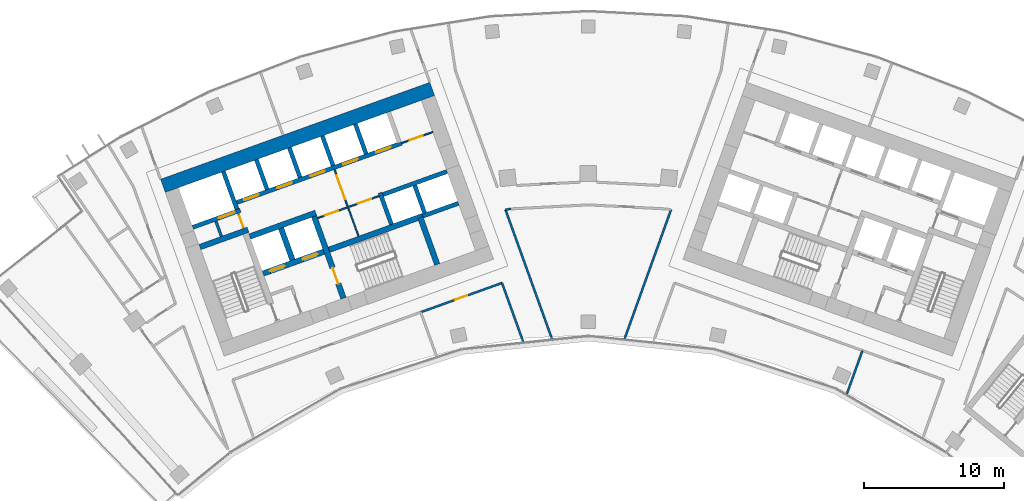
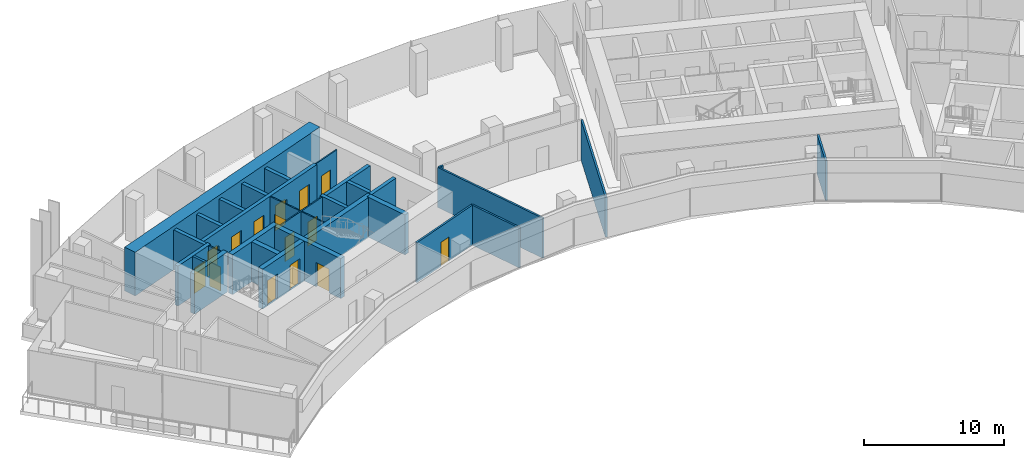
# One storey, part 13 of 19: 29 walls, 15 doors, 15 openings.
"""IFC4 building model written with IfcOpenShell, lengths in metres."""

from ifc_helpers import new_model, si_unit, direction, frame, frame_2d, origin, place, context, subcontext, project, spatial, rectangle, extrude, material, layer, layer_set, type_object, element, fill, save


model = new_model("IFC4")

# Units and contexts
model_context = context("Model", 3, precision=1e-05, world=origin(), true_north=direction((0.0, 1.0)))
body_context = subcontext(model_context, "Body", "Model", "MODEL_VIEW")
ifc_project = project(units=[si_unit("LENGTHUNIT", "METRE"), si_unit("AREAUNIT", "SQUARE_METRE"), si_unit("VOLUMEUNIT", "CUBIC_METRE"), si_unit("PLANEANGLEUNIT", "RADIAN"), si_unit("MASSUNIT", "GRAM", prefix="KILO")], contexts=[model_context])

# Site, building, storey
site_placement = place(None, origin())
site = spatial("IfcSite", under=ifc_project, at=site_placement, CompositionType="ELEMENT")
building_placement = place(site_placement, origin())
building = spatial("IfcBuilding", under=site, at=building_placement, Name="Stone Belt Terrace Tower", CompositionType="ELEMENT")
storey_placement = place(building_placement, frame((0.0, 0.0, 227.60009765625)))
storey = spatial("IfcBuildingStorey", under=building, at=storey_placement, Name="L55", CompositionType="ELEMENT", Elevation=227.60009765625)

# Wall, opening, door
ifc_material_1 = material(Name="Plasterboard partition")
ifc_layer_1 = layer(ifc_material_1, 0.10009765625)
ifc_layer_set_1 = layer_set([ifc_layer_1], Name="Core partition 100")
wall_type_1 = type_object("IfcWallType", Name="Core partition 100", PredefinedType="PARTITIONING", material=ifc_layer_set_1)
wall_1_placement = place(storey_placement, frame((-24.555908203125, 51.10400390625, 0.0), z_axis=(0.0, 0.0, 1.0), x_axis=(-0.338621735342, 0.94092258999, 0.0)))
wall_1 = element("IfcWall", 1, at=wall_1_placement, inside=storey, type_object=wall_type_1, Name="Core A wall", PredefinedType="PARTITIONING", context=body_context, shape_type="SweptSolid", body=[
    extrude(rectangle(XDim=1.14990234375, YDim=0.10009765625, at=frame_2d((0.574951171875, 0.0))), origin(), (0.0, 0.0, 1.0), 3.47998046875),
])
opening_1_placement = place(wall_1_placement, frame((0.050048828125, 0.0, 0.0)))
opening_1 = element("IfcOpeningElement", 2, at=opening_1_placement, cuts=wall_1, Name="Opening L55-C05", PredefinedType="OPENING", context=body_context, shape_type="SweptSolid", body=[
    extrude(rectangle(XDim=1.0, YDim=2.10009765625, at=frame_2d((0.5, 1.050048828125))), frame((0.0, 0.06005859375, 0.0), z_axis=(0.0, -1.0, 0.0), x_axis=(1.0, 0.0, 0.0)), (0.0, 0.0, 1.0), 0.1201171875),
])
ifc_material_2 = material(Name="Timber door leaf", Category="wood")
door_type_1 = type_object("IfcDoorType", Name="Core room door 1000", OperationType="SINGLE_SWING_LEFT", PredefinedType="DOOR", material=ifc_material_2)
door_1_placement = place(opening_1_placement, origin())
door_1 = element("IfcDoor", 3, at=door_1_placement, inside=storey, type_object=door_type_1, Name="Service lift lobby door core A", OperationType="SINGLE_SWING_LEFT", OverallHeight=2.10009765625, OverallWidth=1.0, PredefinedType="DOOR", context=body_context, shape_type="SweptSolid", body=[
    extrude(rectangle(XDim=1.0, YDim=2.10009765625, at=frame_2d((0.5, 1.050048828125))), frame((0.0, 0.02490234375, 0.0), z_axis=(0.0, -1.0, 0.0), x_axis=(1.0, 0.0, 0.0)), (0.0, 0.0, 1.0), 0.050048828125),
])
fill(opening_1, door_1)

# Wall, openings, doors
wall_2_placement = place(storey_placement, frame((-19.29052734375, 51.829833984375, 0.0), z_axis=(0.0, 0.0, 1.0), x_axis=(0.940930240745, 0.338600475563, 0.0)))
wall_2 = element("IfcWall", 4, at=wall_2_placement, inside=storey, type_object=wall_type_1, Name="Core A wall", PredefinedType="PARTITIONING", context=body_context, shape_type="SweptSolid", body=[
    extrude(rectangle(XDim=4.64990234375, YDim=0.10009765625, at=frame_2d((2.324951171875, 0.0))), origin(), (0.0, 0.0, 1.0), 3.47998046875),
])
opening_2_placement = place(wall_2_placement, frame((0.550048828125, 0.0, 0.0)))
opening_2 = element("IfcOpeningElement", 5, at=opening_2_placement, cuts=wall_2, Name="Opening L55-C02", PredefinedType="OPENING", context=body_context, shape_type="SweptSolid", body=[
    extrude(rectangle(XDim=1.0, YDim=2.10009765625, at=frame_2d((0.5, 1.050048828125))), frame((0.0, 0.06005859375, 0.0), z_axis=(0.0, -1.0, 0.0), x_axis=(1.0, 0.0, 0.0)), (0.0, 0.0, 1.0), 0.1201171875),
])
opening_3_placement = place(wall_2_placement, frame((3.050048828125, 0.0, 0.0)))
opening_3 = element("IfcOpeningElement", 6, at=opening_3_placement, cuts=wall_2, Name="Opening L55-C03", PredefinedType="OPENING", context=body_context, shape_type="SweptSolid", body=[
    extrude(rectangle(XDim=1.0, YDim=2.10009765625, at=frame_2d((0.5, 1.050048828125))), frame((0.0, 0.06005859375, 0.0), z_axis=(0.0, -1.0, 0.0), x_axis=(1.0, 0.0, 0.0)), (0.0, 0.0, 1.0), 0.1201171875),
])
door_2_placement = place(opening_2_placement, origin())
door_2 = element("IfcDoor", 7, at=door_2_placement, inside=storey, type_object=door_type_1, Name="Door to Communications hub room core A", OperationType="SINGLE_SWING_LEFT", OverallHeight=2.10009765625, OverallWidth=1.0, PredefinedType="DOOR", context=body_context, shape_type="SweptSolid", body=[
    extrude(rectangle(XDim=1.0, YDim=2.10009765625, at=frame_2d((0.5, 1.050048828125))), frame((0.0, 0.02490234375, 0.0), z_axis=(0.0, -1.0, 0.0), x_axis=(1.0, 0.0, 0.0)), (0.0, 0.0, 1.0), 0.050048828125),
])
fill(opening_2, door_2)
door_3_placement = place(opening_3_placement, origin())
door_3 = element("IfcDoor", 8, at=door_3_placement, inside=storey, type_object=door_type_1, Name="Door to Print and copy room core A", OperationType="SINGLE_SWING_RIGHT", OverallHeight=2.10009765625, OverallWidth=1.0, PredefinedType="DOOR", context=body_context, shape_type="SweptSolid", body=[
    extrude(rectangle(XDim=1.0, YDim=2.10009765625, at=frame_2d((0.5, 1.050048828125))), frame((0.0, 0.02490234375, 0.0), z_axis=(0.0, -1.0, 0.0), x_axis=(1.0, 0.0, 0.0)), (0.0, 0.0, 1.0), 0.050048828125),
])
fill(opening_3, door_3)

# Wall, opening, door
wall_3_placement = place(storey_placement, frame((-16.38134765625, 50.53857421875, 0.0), z_axis=(0.0, 0.0, 1.0), x_axis=(-0.33860476744, 0.940928696271, 0.0)))
wall_3 = element("IfcWall", 9, at=wall_3_placement, inside=storey, type_object=wall_type_1, Name="Core A wall", PredefinedType="PARTITIONING", context=body_context, shape_type="SweptSolid", body=[
    extrude(rectangle(XDim=5.050048828125, YDim=0.10009765625, at=frame_2d((2.52490234375, 0.0))), origin(), (0.0, 0.0, 1.0), 3.47998046875),
])
opening_4_placement = place(wall_3_placement, frame((2.800048828125, 0.0, 0.0)))
opening_4 = element("IfcOpeningElement", 10, at=opening_4_placement, cuts=wall_3, Name="Opening L55-C06", PredefinedType="OPENING", context=body_context, shape_type="SweptSolid", body=[
    extrude(rectangle(XDim=1.800048828125, YDim=2.10009765625, at=frame_2d((0.89990234375, 1.050048828125))), frame((0.0, 0.06005859375, 0.0), z_axis=(0.0, -1.0, 0.0), x_axis=(1.0, 0.0, 0.0)), (0.0, 0.0, 1.0), 0.1201171875),
])
ifc_material_3 = material(Name="Glazed aluminium door leaf", Category="aluminium")
door_type_2 = type_object("IfcDoorType", Name="Lift lobby entrance door 1800", OperationType="DOUBLE_DOOR_SINGLE_SWING", PredefinedType="DOOR", material=ifc_material_3)
door_4_placement = place(opening_4_placement, origin())
door_4 = element("IfcDoor", 11, at=door_4_placement, inside=storey, type_object=door_type_2, Name="Lift lobby double door core A", OperationType="DOUBLE_DOOR_SINGLE_SWING", OverallHeight=2.10009765625, OverallWidth=1.800048828125, PredefinedType="DOOR", context=body_context, shape_type="SweptSolid", body=[
    extrude(rectangle(XDim=1.800048828125, YDim=2.10009765625, at=frame_2d((0.89990234375, 1.050048828125))), frame((0.0, 0.02490234375, 0.0), z_axis=(0.0, -1.0, 0.0), x_axis=(1.0, 0.0, 0.0)), (0.0, 0.0, 1.0), 0.050048828125),
])
fill(opening_4, door_4)

wall_4_placement = place(storey_placement, frame((-13.29638671875, 57.17529296875, 0.0), z_axis=(0.0, 0.0, 1.0), x_axis=(0.940904627055, 0.338671644496, 0.0)))
wall_4 = element("IfcWall", 12, at=wall_4_placement, inside=storey, type_object=wall_type_1, Name="Core A wall", PredefinedType="PARTITIONING", context=body_context, shape_type="SweptSolid", body=[
    extrude(rectangle(XDim=2.35009765625, YDim=0.10009765625, at=frame_2d((1.175048828125, 0.0))), origin(), (0.0, 0.0, 1.0), 3.47998046875),
])
opening_5_placement = place(wall_4_placement, frame((0.60009765625, 0.0, 0.0)))
opening_5 = element("IfcOpeningElement", 13, at=opening_5_placement, cuts=wall_4, Name="Opening L55-C01", PredefinedType="OPENING", context=body_context, shape_type="SweptSolid", body=[
    extrude(rectangle(XDim=1.0, YDim=2.10009765625, at=frame_2d((0.5, 1.050048828125))), frame((0.0, 0.06005859375, 0.0), z_axis=(0.0, -1.0, 0.0), x_axis=(1.0, 0.0, 0.0)), (0.0, 0.0, 1.0), 0.1201171875),
])
door_5_placement = place(opening_5_placement, origin())
door_5 = element("IfcDoor", 14, at=door_5_placement, inside=storey, type_object=door_type_1, Name="Door to Tenant storage room core A", OperationType="SINGLE_SWING_LEFT", OverallHeight=2.10009765625, OverallWidth=1.0, PredefinedType="DOOR", context=body_context, shape_type="SweptSolid", body=[
    extrude(rectangle(XDim=1.0, YDim=2.10009765625, at=frame_2d((0.5, 1.050048828125))), frame((0.0, 0.02490234375, 0.0), z_axis=(0.0, -1.0, 0.0), x_axis=(1.0, 0.0, 0.0)), (0.0, 0.0, 1.0), 0.050048828125),
])
fill(opening_5, door_5)

# Walls
ifc_material_4 = material(Name="Concrete B60", Category="concrete")
ifc_layer_2 = layer(ifc_material_4, 1.0)
ifc_layer_set_2 = layer_set([ifc_layer_2], Name="Core wall 1000 B60")
wall_type_2 = type_object("IfcWallType", Name="Core wall 1000 B60", PredefinedType="SHEAR", material=ifc_layer_set_2)
wall_5_placement = place(storey_placement, frame((-30.3212890625, 54.13037109375, 0.0), z_axis=(0.0, 0.0, 1.0), x_axis=(0.940921428504, 0.338624962727, 0.0)))
element("IfcWall", 15, at=wall_5_placement, inside=storey, type_object=wall_type_2, Name="Core A wall convex L55", PredefinedType="SHEAR", context=body_context, shape_type="SweptSolid", body=[
    extrude(rectangle(XDim=20.400146484375, YDim=1.0, at=frame_2d((10.2001953125, 0.0))), origin(), (0.0, 0.0, 1.0), 3.7998046875),
])
ifc_material_5 = material(Name="Concrete B80", Category="concrete")
ifc_layer_3 = layer(ifc_material_5, 0.39990234375)
ifc_layer_set_3 = layer_set([ifc_layer_3], Name="Fire-fighting lift shaft wall 400")
wall_type_3 = type_object("IfcWallType", Name="Fire-fighting lift shaft wall 400", PredefinedType="SHEAR", material=ifc_layer_set_3)
wall_6_placement = place(storey_placement, frame((-24.130615234375, 50.512939453125, 0.0), z_axis=(0.0, 0.0, 1.0), x_axis=(0.94091168377, 0.338652038744, 0.0)))
element("IfcWall", 16, at=wall_6_placement, inside=storey, type_object=wall_type_3, Name="Core A wall", PredefinedType="SHEAR", context=body_context, shape_type="SweptSolid", body=[
    extrude(rectangle(XDim=5.000244140625, YDim=0.39990234375, at=frame_2d((2.5, 0.0))), origin(), (0.0, 0.0, 1.0), 3.47998046875),
])
wall_7_placement = place(storey_placement, frame((-21.0859375, 48.845458984375, 0.0), z_axis=(0.0, 0.0, 1.0), x_axis=(-0.338629416206, 0.940919825745, 0.0)))
element("IfcWall", 17, at=wall_7_placement, inside=storey, type_object=wall_type_3, Name="Core A wall", PredefinedType="SHEAR", context=body_context, shape_type="SweptSolid", body=[
    extrude(rectangle(XDim=2.400146484375, YDim=0.39990234375, at=frame_2d((1.2001953125, 0.0))), origin(), (0.0, 0.0, 1.0), 3.47998046875),
])

# Wall, opening, door
ifc_layer_4 = layer(ifc_material_5, 0.300048828125)
ifc_layer_set_4 = layer_set([ifc_layer_4], Name="Lift shaft wall 300")
wall_type_4 = type_object("IfcWallType", Name="Lift shaft wall 300", PredefinedType="SHEAR", material=ifc_layer_set_4)
wall_8_placement = place(storey_placement, frame((-28.195068359375, 51.17578125, 0.0), z_axis=(0.0, 0.0, 1.0), x_axis=(0.940901243567, 0.338681044427, 0.0)))
wall_8 = element("IfcWall", 18, at=wall_8_placement, inside=storey, type_object=wall_type_4, Name="Core A wall", PredefinedType="SHEAR", context=body_context, shape_type="SweptSolid", body=[
    extrude(rectangle(XDim=3.599853515625, YDim=0.300048828125, at=frame_2d((1.7998046875, 0.0))), origin(), (0.0, 0.0, 1.0), 3.47998046875),
])
opening_6_placement = place(wall_8_placement, frame((1.969970703125, 0.0, 0.0)))
opening_6 = element("IfcOpeningElement", 19, at=opening_6_placement, cuts=wall_8, Name="Opening L55-LD08", PredefinedType="OPENING", context=body_context, shape_type="SweptSolid", body=[
    extrude(rectangle(XDim=1.199951171875, YDim=2.199951171875, at=frame_2d((0.60009765625, 1.10009765625))), frame((0.0, 0.159912109375, 0.0), z_axis=(0.0, -1.0, 0.0), x_axis=(1.0, 0.0, 0.0)), (0.0, 0.0, 1.0), 0.320068359375),
])
ifc_material_6 = material(Name="Stainless steel door leaf", Category="steel")
door_type_3 = type_object("IfcDoorType", Name="Landing door 1200", OperationType="SLIDING_TO_LEFT", PredefinedType="DOOR", material=ifc_material_6)
door_6_placement = place(opening_6_placement, origin())
door_6 = element("IfcDoor", 20, at=door_6_placement, inside=storey, type_object=door_type_3, Name="Landing door SV1 core A", OperationType="SLIDING_TO_LEFT", OverallHeight=2.199951171875, OverallWidth=1.199951171875, PredefinedType="DOOR", context=body_context, shape_type="SweptSolid", body=[
    extrude(rectangle(XDim=1.199951171875, YDim=2.199951171875, at=frame_2d((0.60009765625, 1.10009765625))), frame((0.0, 0.02490234375, 0.0), z_axis=(0.0, -1.0, 0.0), x_axis=(1.0, 0.0, 0.0)), (0.0, 0.0, 1.0), 0.050048828125),
])
fill(opening_6, door_6)

# Wall
wall_9_placement = place(storey_placement, frame((-25.046875, 52.46826171875, 0.0), z_axis=(0.0, 0.0, 1.0), x_axis=(-0.338549588058, 0.940948551423, 0.0)))
element("IfcWall", 21, at=wall_9_placement, inside=storey, type_object=wall_type_4, Name="Core A wall", PredefinedType="SHEAR", context=body_context, shape_type="SweptSolid", body=[
    extrude(rectangle(XDim=2.849853515625, YDim=0.300048828125, at=frame_2d((1.4248046875, 0.0))), origin(), (0.0, 0.0, 1.0), 3.47998046875),
])

# Wall, openings, doors
wall_10_placement = place(storey_placement, frame((-25.05810546875, 52.9423828125, 0.0), z_axis=(0.0, 0.0, 1.0), x_axis=(0.940920770291, 0.338626791666, 0.0)))
wall_10 = element("IfcWall", 22, at=wall_10_placement, inside=storey, type_object=wall_type_4, Name="Core A wall", PredefinedType="SHEAR", context=body_context, shape_type="SweptSolid", body=[
    extrude(rectangle(XDim=12.500244140625, YDim=0.300048828125, at=frame_2d((6.25, 0.0))), origin(), (0.0, 0.0, 1.0), 3.47998046875),
])
opening_7_placement = place(wall_10_placement, frame((0.570068359375, 0.0, 0.0)))
opening_7 = element("IfcOpeningElement", 23, at=opening_7_placement, cuts=wall_10, Name="Opening L55-LD01", PredefinedType="OPENING", context=body_context, shape_type="SweptSolid", body=[
    extrude(rectangle(XDim=1.10009765625, YDim=2.199951171875, at=frame_2d((0.550048828125, 1.10009765625))), frame((0.0, 0.159912109375, 0.0), z_axis=(0.0, -1.0, 0.0), x_axis=(1.0, 0.0, 0.0)), (0.0, 0.0, 1.0), 0.320068359375),
])
opening_8_placement = place(wall_10_placement, frame((3.070068359375, 0.0, 0.0)))
opening_8 = element("IfcOpeningElement", 24, at=opening_8_placement, cuts=wall_10, Name="Opening L55-LD02", PredefinedType="OPENING", context=body_context, shape_type="SweptSolid", body=[
    extrude(rectangle(XDim=1.10009765625, YDim=2.199951171875, at=frame_2d((0.550048828125, 1.10009765625))), frame((0.0, 0.159912109375, 0.0), z_axis=(0.0, -1.0, 0.0), x_axis=(1.0, 0.0, 0.0)), (0.0, 0.0, 1.0), 0.320068359375),
])
opening_9_placement = place(wall_10_placement, frame((5.570068359375, 0.0, 0.0)))
opening_9 = element("IfcOpeningElement", 25, at=opening_9_placement, cuts=wall_10, Name="Opening L55-LD03", PredefinedType="OPENING", context=body_context, shape_type="SweptSolid", body=[
    extrude(rectangle(XDim=1.10009765625, YDim=2.199951171875, at=frame_2d((0.550048828125, 1.10009765625))), frame((0.0, 0.159912109375, 0.0), z_axis=(0.0, -1.0, 0.0), x_axis=(1.0, 0.0, 0.0)), (0.0, 0.0, 1.0), 0.320068359375),
])
opening_10_placement = place(wall_10_placement, frame((8.070068359375, 0.0, 0.0)))
opening_10 = element("IfcOpeningElement", 26, at=opening_10_placement, cuts=wall_10, Name="Opening L55-LD04", PredefinedType="OPENING", context=body_context, shape_type="SweptSolid", body=[
    extrude(rectangle(XDim=1.10009765625, YDim=2.199951171875, at=frame_2d((0.550048828125, 1.10009765625))), frame((0.0, 0.159912109375, 0.0), z_axis=(0.0, -1.0, 0.0), x_axis=(1.0, 0.0, 0.0)), (0.0, 0.0, 1.0), 0.320068359375),
])
opening_11_placement = place(wall_10_placement, frame((10.570068359375, 0.0, 0.0)))
opening_11 = element("IfcOpeningElement", 27, at=opening_11_placement, cuts=wall_10, Name="Opening L55-LD05", PredefinedType="OPENING", context=body_context, shape_type="SweptSolid", body=[
    extrude(rectangle(XDim=1.10009765625, YDim=2.199951171875, at=frame_2d((0.550048828125, 1.10009765625))), frame((0.0, 0.159912109375, 0.0), z_axis=(0.0, -1.0, 0.0), x_axis=(1.0, 0.0, 0.0)), (0.0, 0.0, 1.0), 0.320068359375),
])
door_type_4 = type_object("IfcDoorType", Name="Landing door 1100", OperationType="SLIDING_TO_LEFT", PredefinedType="DOOR", material=ifc_material_6)
door_7_placement = place(opening_7_placement, origin())
door_7 = element("IfcDoor", 28, at=door_7_placement, inside=storey, type_object=door_type_4, Name="Landing door MR1 core A", OperationType="SLIDING_TO_LEFT", OverallHeight=2.199951171875, OverallWidth=1.10009765625, PredefinedType="DOOR", context=body_context, shape_type="SweptSolid", body=[
    extrude(rectangle(XDim=1.10009765625, YDim=2.199951171875, at=frame_2d((0.550048828125, 1.10009765625))), frame((0.0, 0.02490234375, 0.0), z_axis=(0.0, -1.0, 0.0), x_axis=(1.0, 0.0, 0.0)), (0.0, 0.0, 1.0), 0.050048828125),
])
fill(opening_7, door_7)
door_8_placement = place(opening_8_placement, origin())
door_8 = element("IfcDoor", 29, at=door_8_placement, inside=storey, type_object=door_type_4, Name="Landing door MR2 core A", OperationType="SLIDING_TO_LEFT", OverallHeight=2.199951171875, OverallWidth=1.10009765625, PredefinedType="DOOR", context=body_context, shape_type="SweptSolid", body=[
    extrude(rectangle(XDim=1.10009765625, YDim=2.199951171875, at=frame_2d((0.550048828125, 1.10009765625))), frame((0.0, 0.02490234375, 0.0), z_axis=(0.0, -1.0, 0.0), x_axis=(1.0, 0.0, 0.0)), (0.0, 0.0, 1.0), 0.050048828125),
])
fill(opening_8, door_8)
door_9_placement = place(opening_9_placement, origin())
door_9 = element("IfcDoor", 30, at=door_9_placement, inside=storey, type_object=door_type_4, Name="Landing door MR3 core A", OperationType="SLIDING_TO_LEFT", OverallHeight=2.199951171875, OverallWidth=1.10009765625, PredefinedType="DOOR", context=body_context, shape_type="SweptSolid", body=[
    extrude(rectangle(XDim=1.10009765625, YDim=2.199951171875, at=frame_2d((0.550048828125, 1.10009765625))), frame((0.0, 0.02490234375, 0.0), z_axis=(0.0, -1.0, 0.0), x_axis=(1.0, 0.0, 0.0)), (0.0, 0.0, 1.0), 0.050048828125),
])
fill(opening_9, door_9)
door_10_placement = place(opening_10_placement, origin())
door_10 = element("IfcDoor", 31, at=door_10_placement, inside=storey, type_object=door_type_4, Name="Landing door MR4 core A", OperationType="SLIDING_TO_LEFT", OverallHeight=2.199951171875, OverallWidth=1.10009765625, PredefinedType="DOOR", context=body_context, shape_type="SweptSolid", body=[
    extrude(rectangle(XDim=1.10009765625, YDim=2.199951171875, at=frame_2d((0.550048828125, 1.10009765625))), frame((0.0, 0.02490234375, 0.0), z_axis=(0.0, -1.0, 0.0), x_axis=(1.0, 0.0, 0.0)), (0.0, 0.0, 1.0), 0.050048828125),
])
fill(opening_10, door_10)
door_11_placement = place(opening_11_placement, origin())
door_11 = element("IfcDoor", 32, at=door_11_placement, inside=storey, type_object=door_type_4, Name="Landing door MR5 core A", OperationType="SLIDING_TO_LEFT", OverallHeight=2.199951171875, OverallWidth=1.10009765625, PredefinedType="DOOR", context=body_context, shape_type="SweptSolid", body=[
    extrude(rectangle(XDim=1.10009765625, YDim=2.199951171875, at=frame_2d((0.550048828125, 1.10009765625))), frame((0.0, 0.02490234375, 0.0), z_axis=(0.0, -1.0, 0.0), x_axis=(1.0, 0.0, 0.0)), (0.0, 0.0, 1.0), 0.050048828125),
])
fill(opening_11, door_11)

# Walls
wall_11_placement = place(storey_placement, frame((-22.897705078125, 53.87939453125, 0.0), z_axis=(0.0, 0.0, 1.0), x_axis=(-0.338535034312, 0.940953787677, 0.0)))
element("IfcWall", 33, at=wall_11_placement, inside=storey, type_object=wall_type_4, Name="Core A wall", PredefinedType="SHEAR", context=body_context, shape_type="SweptSolid", body=[
    extrude(rectangle(XDim=2.25, YDim=0.300048828125, at=frame_2d((1.125, 0.0))), origin(), (0.0, 0.0, 1.0), 3.47998046875),
])
wall_12_placement = place(storey_placement, frame((-20.54541015625, 54.72607421875, 0.0), z_axis=(0.0, 0.0, 1.0), x_axis=(-0.338569601369, 0.940941350472, 0.0)))
element("IfcWall", 34, at=wall_12_placement, inside=storey, type_object=wall_type_4, Name="Core A wall", PredefinedType="SHEAR", context=body_context, shape_type="SweptSolid", body=[
    extrude(rectangle(XDim=2.249755859375, YDim=0.300048828125, at=frame_2d((1.125, 0.0))), origin(), (0.0, 0.0, 1.0), 3.47998046875),
])
wall_13_placement = place(storey_placement, frame((-18.193115234375, 55.572509765625, 0.0), z_axis=(0.0, 0.0, 1.0), x_axis=(-0.338535034312, 0.940953787677, 0.0)))
element("IfcWall", 35, at=wall_13_placement, inside=storey, type_object=wall_type_4, Name="Core A wall", PredefinedType="SHEAR", context=body_context, shape_type="SweptSolid", body=[
    extrude(rectangle(XDim=2.25, YDim=0.300048828125, at=frame_2d((1.125, 0.0))), origin(), (0.0, 0.0, 1.0), 3.47998046875),
])
wall_14_placement = place(storey_placement, frame((-14.029052734375, 51.38525390625, 0.0), z_axis=(0.0, 0.0, 1.0), x_axis=(-0.338661829791, 0.940908159728, 0.0)))
element("IfcWall", 36, at=wall_14_placement, inside=storey, type_object=wall_type_4, Name="Core A wall", PredefinedType="SHEAR", context=body_context, shape_type="SweptSolid", body=[
    extrude(rectangle(XDim=2.39990234375, YDim=0.300048828125, at=frame_2d((1.199951171875, 0.0))), origin(), (0.0, 0.0, 1.0), 3.47998046875),
])
wall_15_placement = place(storey_placement, frame((-14.6328125, 53.506103515625, 0.0), z_axis=(0.0, 0.0, 1.0), x_axis=(0.940931684323, 0.338596464007, 0.0)))
element("IfcWall", 37, at=wall_15_placement, inside=storey, type_object=wall_type_4, Name="Core A wall", PredefinedType="SHEAR", context=body_context, shape_type="SweptSolid", body=[
    extrude(rectangle(XDim=4.849609375, YDim=0.300048828125, at=frame_2d((2.4248046875, 0.0))), origin(), (0.0, 0.0, 1.0), 3.47998046875),
])
wall_16_placement = place(storey_placement, frame((-15.8408203125, 56.419189453125, 0.0), z_axis=(0.0, 0.0, 1.0), x_axis=(-0.338569601369, 0.940941350472, 0.0)))
element("IfcWall", 38, at=wall_16_placement, inside=storey, type_object=wall_type_4, Name="Core A wall", PredefinedType="SHEAR", context=body_context, shape_type="SweptSolid", body=[
    extrude(rectangle(XDim=2.249755859375, YDim=0.300048828125, at=frame_2d((1.125, 0.0))), origin(), (0.0, 0.0, 1.0), 3.47998046875),
])
wall_17_placement = place(storey_placement, frame((-11.797119140625, 51.975830078125, 0.0), z_axis=(0.0, 0.0, 1.0), x_axis=(0.940910465161, 0.33865542451, 0.0)))
element("IfcWall", 39, at=wall_17_placement, inside=storey, type_object=wall_type_4, Name="Core A wall", PredefinedType="SHEAR", context=body_context, shape_type="SweptSolid", body=[
    extrude(rectangle(XDim=2.69970703125, YDim=0.300048828125, at=frame_2d((1.349853515625, 0.0))), origin(), (0.0, 0.0, 1.0), 3.47998046875),
])
wall_18_placement = place(storey_placement, frame((-11.659912109375, 52.184814453125, 0.0), z_axis=(0.0, 0.0, 1.0), x_axis=(-0.338670064856, 0.940905195634, 0.0)))
element("IfcWall", 40, at=wall_18_placement, inside=storey, type_object=wall_type_4, Name="Core A wall", PredefinedType="SHEAR", context=body_context, shape_type="SweptSolid", body=[
    extrude(rectangle(XDim=2.099853515625, YDim=0.300048828125, at=frame_2d((1.0498046875, 0.0))), origin(), (0.0, 0.0, 1.0), 3.47998046875),
])
ifc_material_7 = material(Name="Gypsum board partition")
ifc_layer_5 = layer(ifc_material_7, 0.14990234375)
ifc_layer_set_5 = layer_set([ifc_layer_5], Name="PARTITION 150 EI 60")
wall_type_5 = type_object("IfcWallType", Name="PARTITION 150 EI 60", PredefinedType="PARTITIONING", material=ifc_layer_set_5)
wall_19_placement = place(storey_placement, frame((-4.638427734375, 43.012451171875, 0.0), z_axis=(0.0, 0.0, 1.0), x_axis=(-0.338583902482, 0.940936204522, 0.0)))
element("IfcWall", 41, at=wall_19_placement, inside=storey, type_object=wall_type_5, Name="L55/wall/i007", PredefinedType="PARTITIONING", context=body_context, shape_type="SweptSolid", body=[
    extrude(rectangle(XDim=4.464111328125, YDim=0.14990234375, at=frame_2d((2.23193359375, 0.0))), origin(), (0.0, 0.0, 1.0), 3.47998046875),
])
wall_20_placement = place(storey_placement, frame((-5.906005859375, 52.44091796875, 0.0), z_axis=(0.0, 0.0, 1.0), x_axis=(0.33864618549, -0.940913790447, 0.0)))
element("IfcWall", 42, at=wall_20_placement, inside=storey, type_object=wall_type_5, Name="L55/wall/i009", PredefinedType="PARTITIONING", context=body_context, shape_type="SweptSolid", body=[
    extrude(rectangle(XDim=9.791748046875, YDim=0.14990234375, at=frame_2d((4.89599609375, 0.0))), origin(), (0.0, 0.0, 1.0), 3.47998046875),
])

# Wall, opening, door
wall_21_placement = place(storey_placement, frame((-6.14892578125, 47.20703125, 0.0), z_axis=(0.0, 0.0, 1.0), x_axis=(-0.940917691386, -0.338635346704, 0.0)))
wall_21 = element("IfcWall", 43, at=wall_21_placement, inside=storey, type_object=wall_type_5, Name="L55/wall/i013", PredefinedType="PARTITIONING", context=body_context, shape_type="SweptSolid", body=[
    extrude(rectangle(XDim=6.166259765625, YDim=0.14990234375, at=frame_2d((3.0830078125, 0.0))), origin(), (0.0, 0.0, 1.0), 3.47998046875),
])
opening_12_placement = place(wall_21_placement, frame((2.633056640625, 0.0, 0.0)))
opening_12 = element("IfcOpeningElement", 44, at=opening_12_placement, cuts=wall_21, Name="Opening D-D4-02", PredefinedType="OPENING", context=body_context, shape_type="SweptSolid", body=[
    extrude(rectangle(XDim=0.89990234375, YDim=2.10009765625, at=frame_2d((0.449951171875, 1.050048828125))), frame((0.0, 0.0849609375, 0.0), z_axis=(0.0, -1.0, 0.0), x_axis=(1.0, 0.0, 0.0)), (0.0, 0.0, 1.0), 0.169921875),
])
door_type_5 = type_object("IfcDoorType", Name="OFFICE DOOR 900 X 2100", OperationType="NOTDEFINED", PredefinedType="DOOR", material=ifc_material_2)
door_12_placement = place(opening_12_placement, origin())
door_12 = element("IfcDoor", 45, at=door_12_placement, inside=storey, type_object=door_type_5, Name="L55/door/i02", OperationType="SINGLE_SWING_RIGHT", OverallHeight=2.10009765625, OverallWidth=0.89990234375, PredefinedType="DOOR", context=body_context, shape_type="SweptSolid", body=[
    extrude(rectangle(XDim=0.89990234375, YDim=2.10009765625, at=frame_2d((0.449951171875, 1.050048828125))), frame((0.0, 0.02490234375, 0.0), z_axis=(0.0, -1.0, 0.0), x_axis=(1.0, 0.0, 0.0)), (0.0, 0.0, 1.0), 0.050048828125),
])
fill(opening_12, door_12)

# Walls
wall_22_placement = place(storey_placement, frame((2.590087890625, 43.227783203125, 0.0), z_axis=(0.0, 0.0, 1.0), x_axis=(0.33864618549, 0.940913790447, 0.0)))
element("IfcWall", 46, at=wall_22_placement, inside=storey, type_object=wall_type_5, Name="L55/wall/i018", PredefinedType="PARTITIONING", context=body_context, shape_type="SweptSolid", body=[
    extrude(rectangle(XDim=9.791748046875, YDim=0.14990234375, at=frame_2d((4.89599609375, 0.0))), origin(), (0.0, 0.0, 1.0), 3.47998046875),
])
wall_23_placement = place(storey_placement, frame((19.547119140625, 42.385009765625, 0.0), z_axis=(0.0, 0.0, 1.0), x_axis=(-0.338737974885, -0.940880749283, 0.0)))
element("IfcWall", 47, at=wall_23_placement, inside=storey, type_object=wall_type_5, Name="L55/wall/i030", PredefinedType="PARTITIONING", context=body_context, shape_type="SweptSolid", body=[
    extrude(rectangle(XDim=3.27001953125, YDim=0.14990234375, at=frame_2d((1.635009765625, 0.0))), origin(), (0.0, 0.0, 1.0), 3.47998046875),
])
wall_24_placement = place(storey_placement, frame((-5.51611328125, 52.486083984375, 0.0), z_axis=(0.0, 0.0, 1.0), x_axis=(-0.991780421826, -0.127951533338, 0.0)))
element("IfcWall", 48, at=wall_24_placement, inside=storey, type_object=wall_type_5, Name="L55/wall/i069", PredefinedType="PARTITIONING", context=body_context, shape_type="SweptSolid", body=[
    extrude(rectangle(XDim=0.39111328125, YDim=0.14990234375, at=frame_2d((0.195556640625, 0.0))), origin(), (0.0, 0.0, 1.0), 3.47998046875),
])
ifc_material_8 = material(Name="Concrete masonry block", Category="masonry")
ifc_layer_6 = layer(ifc_material_8, 0.199951171875)
ifc_layer_set_6 = layer_set([ifc_layer_6], Name="Rated lobby wall 200")
wall_type_6 = type_object("IfcWallType", Name="Rated lobby wall 200", PredefinedType="PARTITIONING", material=ifc_layer_set_6)
wall_25_placement = place(storey_placement, frame((-26.1552734375, 50.5283203125, 0.0), z_axis=(0.0, 0.0, 1.0), x_axis=(-0.338621735342, 0.94092258999, 0.0)))
element("IfcWall", 49, at=wall_25_placement, inside=storey, type_object=wall_type_6, Name="Core A wall", PredefinedType="PARTITIONING", context=body_context, shape_type="SweptSolid", body=[
    extrude(rectangle(XDim=1.14990234375, YDim=0.199951171875, at=frame_2d((0.574951171875, 0.0))), origin(), (0.0, 0.0, 1.0), 3.47998046875),
])
ifc_layer_7 = layer(ifc_material_5, 0.39990234375)
ifc_layer_set_7 = layer_set([ifc_layer_7], Name="Stair enclosure wall 400")
wall_type_7 = type_object("IfcWallType", Name="Stair enclosure wall 400", PredefinedType="SHEAR", material=ifc_layer_set_7)
wall_26_placement = place(storey_placement, frame((-27.687255859375, 49.764404296875, 0.0), z_axis=(0.0, 0.0, 1.0), x_axis=(0.940918954884, 0.338631835981, 0.0)))
element("IfcWall", 50, at=wall_26_placement, inside=storey, type_object=wall_type_7, Name="Core A wall", PredefinedType="SHEAR", context=body_context, shape_type="SweptSolid", body=[
    extrude(rectangle(XDim=3.650146484375, YDim=0.39990234375, at=frame_2d((1.8251953125, 0.0))), origin(), (0.0, 0.0, 1.0), 3.47998046875),
])

# Wall, openings, doors
wall_27_placement = place(storey_placement, frame((-23.182373046875, 47.87841796875, 0.0), z_axis=(0.0, 0.0, 1.0), x_axis=(0.940921101762, 0.338625870628, 0.0)))
wall_27 = element("IfcWall", 51, at=wall_27_placement, inside=storey, type_object=wall_type_7, Name="Core A wall", PredefinedType="SHEAR", context=body_context, shape_type="SweptSolid", body=[
    extrude(rectangle(XDim=12.10009765625, YDim=0.39990234375, at=frame_2d((6.050048828125, 0.0))), origin(), (0.0, 0.0, 1.0), 3.47998046875),
])
opening_13_placement = place(wall_27_placement, frame((0.52001953125, 0.0, 0.0)))
opening_13 = element("IfcOpeningElement", 52, at=opening_13_placement, cuts=wall_27, Name="Opening L55-LD06", PredefinedType="OPENING", context=body_context, shape_type="SweptSolid", body=[
    extrude(rectangle(XDim=1.10009765625, YDim=2.199951171875, at=frame_2d((0.550048828125, 1.10009765625))), frame((0.0, 0.2099609375, 0.0), z_axis=(0.0, -1.0, 0.0), x_axis=(1.0, 0.0, 0.0)), (0.0, 0.0, 1.0), 0.419921875),
])
opening_14_placement = place(wall_27_placement, frame((3.02001953125, 0.0, 0.0)))
opening_14 = element("IfcOpeningElement", 53, at=opening_14_placement, cuts=wall_27, Name="Opening L55-LD07", PredefinedType="OPENING", context=body_context, shape_type="SweptSolid", body=[
    extrude(rectangle(XDim=1.10009765625, YDim=2.199951171875, at=frame_2d((0.550048828125, 1.10009765625))), frame((0.0, 0.2099609375, 0.0), z_axis=(0.0, -1.0, 0.0), x_axis=(1.0, 0.0, 0.0)), (0.0, 0.0, 1.0), 0.419921875),
])
door_13_placement = place(opening_13_placement, origin())
door_13 = element("IfcDoor", 54, at=door_13_placement, inside=storey, type_object=door_type_4, Name="Landing door FF1 core A", OperationType="SLIDING_TO_LEFT", OverallHeight=2.199951171875, OverallWidth=1.10009765625, PredefinedType="DOOR", context=body_context, shape_type="SweptSolid", body=[
    extrude(rectangle(XDim=1.10009765625, YDim=2.199951171875, at=frame_2d((0.550048828125, 1.10009765625))), frame((0.0, 0.02490234375, 0.0), z_axis=(0.0, -1.0, 0.0), x_axis=(1.0, 0.0, 0.0)), (0.0, 0.0, 1.0), 0.050048828125),
])
fill(opening_13, door_13)
door_14_placement = place(opening_14_placement, origin())
door_14 = element("IfcDoor", 55, at=door_14_placement, inside=storey, type_object=door_type_4, Name="Landing door FF2 core A", OperationType="SLIDING_TO_LEFT", OverallHeight=2.199951171875, OverallWidth=1.10009765625, PredefinedType="DOOR", context=body_context, shape_type="SweptSolid", body=[
    extrude(rectangle(XDim=1.10009765625, YDim=2.199951171875, at=frame_2d((0.550048828125, 1.10009765625))), frame((0.0, 0.02490234375, 0.0), z_axis=(0.0, -1.0, 0.0), x_axis=(1.0, 0.0, 0.0)), (0.0, 0.0, 1.0), 0.050048828125),
])
fill(opening_14, door_14)

# Wall, opening, door
wall_28_placement = place(storey_placement, frame((-17.447021484375, 46.116455078125, 0.0), z_axis=(0.0, 0.0, 1.0), x_axis=(-0.33860791464, 0.940927563707, 0.0)))
wall_28 = element("IfcWall", 56, at=wall_28_placement, inside=storey, type_object=wall_type_7, Name="Core A wall", PredefinedType="SHEAR", context=body_context, shape_type="SweptSolid", body=[
    extrude(rectangle(XDim=6.199951171875, YDim=0.39990234375, at=frame_2d((3.10009765625, 0.0))), origin(), (0.0, 0.0, 1.0), 3.47998046875),
])
opening_15_placement = place(wall_28_placement, frame((1.10009765625, 0.0, 0.0)))
opening_15 = element("IfcOpeningElement", 57, at=opening_15_placement, cuts=wall_28, Name="Opening L55-C11", PredefinedType="OPENING", context=body_context, shape_type="SweptSolid", body=[
    extrude(rectangle(XDim=1.199951171875, YDim=2.10009765625, at=frame_2d((0.60009765625, 1.050048828125))), frame((0.0, 0.2099609375, 0.0), z_axis=(0.0, -1.0, 0.0), x_axis=(1.0, 0.0, 0.0)), (0.0, 0.0, 1.0), 0.419921875),
])
ifc_material_9 = material(Name="Steel door leaf", Category="steel")
door_type_6 = type_object("IfcDoorType", Name="Stair door 1200", OperationType="SINGLE_SWING_LEFT", PredefinedType="DOOR", material=ifc_material_9)
door_15_placement = place(opening_15_placement, origin())
door_15 = element("IfcDoor", 58, at=door_15_placement, inside=storey, type_object=door_type_6, Name="Stair 2 door core A", OperationType="SINGLE_SWING_LEFT", OverallHeight=2.10009765625, OverallWidth=1.199951171875, PredefinedType="DOOR", context=body_context, shape_type="SweptSolid", body=[
    extrude(rectangle(XDim=1.199951171875, YDim=2.10009765625, at=frame_2d((0.60009765625, 1.050048828125))), frame((0.0, 0.02490234375, 0.0), z_axis=(0.0, -1.0, 0.0), x_axis=(1.0, 0.0, 0.0)), (0.0, 0.0, 1.0), 0.050048828125),
])
fill(opening_15, door_15)

# Wall
wall_29_placement = place(storey_placement, frame((-10.766357421875, 48.520751953125, 0.0), z_axis=(0.0, 0.0, 1.0), x_axis=(-0.338626928157, 0.94092072117, 0.0)))
element("IfcWall", 59, at=wall_29_placement, inside=storey, type_object=wall_type_7, Name="Core A wall", PredefinedType="SHEAR", context=body_context, shape_type="SweptSolid", body=[
    extrude(rectangle(XDim=3.550048828125, YDim=0.39990234375, at=frame_2d((1.77490234375, 0.0))), origin(), (0.0, 0.0, 1.0), 3.47998046875),
])

save(model, "model.ifc")
